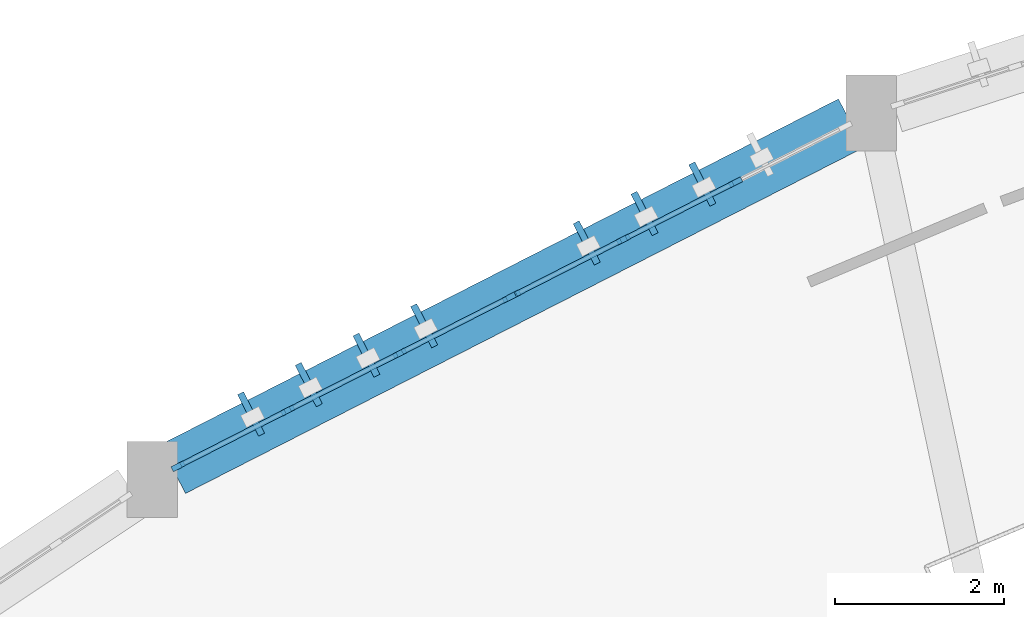
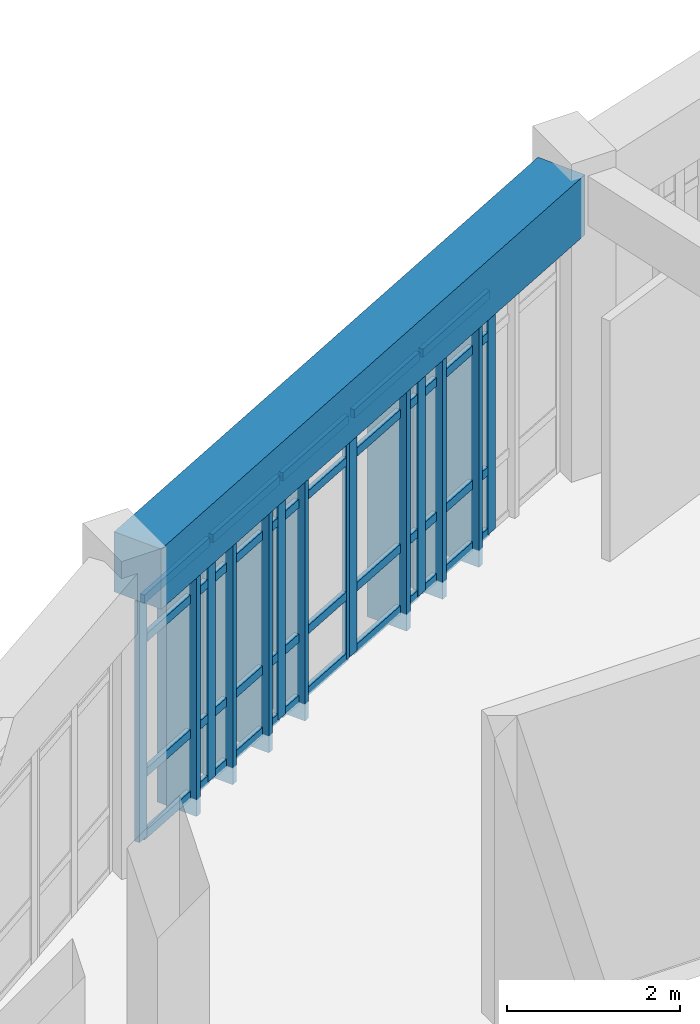
# One storey, part 10 of 54: 34 members, 1 beam, 2 elements without a shape of their own.
"""IFC4 building model written with IfcOpenShell, lengths in metres."""

import ifcopenshell
import ifcopenshell.guid

model = None  # the IFC model being written
_history = None  # IfcOwnerHistory: only IFC2X3 demands one
_inside = {}  # id of a spatial element -> (the spatial element, [elements in it])
_under = {}  # id of a project, library or spatial element -> (it, [spatial elements below it])
_declared = {}  # id of a project -> (the project, [libraries it declares])
_typed = {}  # id of a type object -> (the type object, [elements of that type])
_made_of = {}  # id of a material, layer set ... -> (it, [elements and type objects made of it])


def new_model(schema):
    """Start an empty IFC model of exactly this schema.

    Asked for "IFC4X3", IfcOpenShell would pick the latest addendum, in which some entities
    have other attributes; the version numbers below select the first issue.
    IFC2X3 requires an IfcOwnerHistory on every rooted entity: one is made here for all.
    """
    global model, _history
    if schema == "IFC4X3":
        model = ifcopenshell.file(schema_version=(4, 3, 0, 0))
    else:
        model = ifcopenshell.file(schema=schema)
    _inside.clear()
    _under.clear()
    _declared.clear()
    _typed.clear()
    _made_of.clear()
    _history = None
    if model.schema == "IFC2X3":
        org = make("IfcOrganization", Name="unknown")
        user = make(
            "IfcPersonAndOrganization",
            ThePerson=make("IfcPerson", FamilyName="unknown"),
            TheOrganization=org,
        )
        app = make(
            "IfcApplication",
            ApplicationDeveloper=org,
            Version="unknown",
            ApplicationFullName="unknown",
            ApplicationIdentifier="unknown",
        )
        _history = make(
            "IfcOwnerHistory",
            OwningUser=user,
            OwningApplication=app,
            ChangeAction="ADDED",
            CreationDate=0,
        )
    return model


def make(cls, **values):
    """One entity of the class cls with the attributes given. An attribute that is None is left unset."""
    return model.create_entity(
        cls, **{name: value for name, value in values.items() if value is not None}
    )


def rooted(cls, **values):
    """An entity with a GlobalId (a new one), such as an element, a storey or a relation."""
    return make(cls, GlobalId=ifcopenshell.guid.new(), OwnerHistory=_history, **values)


def si_unit(unit_type, name, prefix=None):
    """IfcSIUnit, for example si_unit("LENGTHUNIT", "METRE", prefix="MILLI")."""
    return make("IfcSIUnit", UnitType=unit_type, Prefix=prefix, Name=name)


def assignment(units):
    """IfcUnitAssignment: the units of a project."""
    return None if units is None else make("IfcUnitAssignment", Units=units)


def point(xyz):
    """IfcCartesianPoint."""
    return None if xyz is None else make("IfcCartesianPoint", Coordinates=xyz)


def direction(xyz):
    """IfcDirection."""
    return None if xyz is None else make("IfcDirection", DirectionRatios=xyz)


def frame(location, z_axis=None, x_axis=None):
    """IfcAxis2Placement3D, a coordinate frame: its origin and axes. An axis left out is left unset."""
    return make(
        "IfcAxis2Placement3D",
        Location=point(location),
        Axis=direction(z_axis),
        RefDirection=direction(x_axis),
    )


def frame_2d(location, x_axis=None):
    """IfcAxis2Placement2D, a coordinate frame in the plane: its origin and x axis."""
    return make(
        "IfcAxis2Placement2D", Location=point(location), RefDirection=direction(x_axis)
    )


def origin():
    """The frame at (0, 0, 0) with its axes left unset."""
    return frame((0.0, 0.0, 0.0))


def origin_2d():
    """The frame at (0, 0) in the plane with its x axis left unset."""
    return frame_2d((0.0, 0.0))


def place(relative_to, where):
    """IfcLocalPlacement: puts the frame where relative to a parent placement (None: the world)."""
    return make(
        "IfcLocalPlacement", PlacementRelTo=relative_to, RelativePlacement=where
    )


def context(
    kind, dimensions, precision=None, world=None, true_north=None, identifier=None
):
    """IfcGeometricRepresentationContext, for example the 3D "Model" context."""
    return make(
        "IfcGeometricRepresentationContext",
        ContextIdentifier=identifier,
        ContextType=kind,
        CoordinateSpaceDimension=dimensions,
        Precision=precision,
        WorldCoordinateSystem=world,
        TrueNorth=true_north,
    )


def subcontext(parent, identifier, kind, view, scale=None):
    """IfcGeometricRepresentationSubContext, for example "Body" below "Model"."""
    return make(
        "IfcGeometricRepresentationSubContext",
        ContextIdentifier=identifier,
        ContextType=kind,
        ParentContext=parent,
        TargetScale=scale,
        TargetView=view,
    )


def project(units=None, contexts=None):
    """IfcProject with its units and contexts."""
    return rooted(
        "IfcProject",
        Name="project",
        RepresentationContexts=contexts,
        UnitsInContext=assignment(units),
    )


def spatial(cls, under=None, at=None, **own):
    """A site, building, storey or space (cls), placed at a placement, below another one or the project."""
    s = rooted(cls, ObjectPlacement=at, **own)
    if under is not None:
        _under.setdefault(under.id(), (under, []))[1].append(s)
    return s


def profile(cls, at=None, kind="AREA", **sizes):
    """A parametric profile (cls). Its sizes go by their IFC names, for example OverallWidth=200.0."""
    return make(cls, ProfileType=kind, Position=at, **sizes)


def rectangle(**sizes):
    """IfcRectangleProfileDef."""
    return profile("IfcRectangleProfileDef", **sizes)


def extrude(swept, where, along, depth):
    """IfcExtrudedAreaSolid: the profile swept, set in the frame where, extruded along a direction by depth."""
    return make(
        "IfcExtrudedAreaSolid",
        SweptArea=swept,
        Position=where,
        ExtrudedDirection=direction(along),
        Depth=depth,
    )


def shape(context_of_items, identifier, shape_type, items):
    """IfcShapeRepresentation: the items that make up one representation, for example the "Body"."""
    return make(
        "IfcShapeRepresentation",
        ContextOfItems=context_of_items,
        RepresentationIdentifier=identifier,
        RepresentationType=shape_type,
        Items=items,
    )


def material(Name=None, Category=None):
    """IfcMaterial."""
    return make("IfcMaterial", Name=Name, Category=Category)


def layer(
    of_material, thickness, ventilated=None, Name=None, Category=None, Priority=None
):
    """IfcMaterialLayer: one layer of a wall or slab, of a material (None: an air gap)."""
    return make(
        "IfcMaterialLayer",
        Material=of_material,
        LayerThickness=thickness,
        IsVentilated=ventilated,
        Name=Name,
        Category=Category,
        Priority=Priority,
    )


def layer_set(layers, Name=None):
    """IfcMaterialLayerSet."""
    return make("IfcMaterialLayerSet", MaterialLayers=layers, LayerSetName=Name)


def material_profile(
    of_material, cross_section, Name=None, Category=None, Priority=None
):
    """IfcMaterialProfile: a cross section and its material."""
    return make(
        "IfcMaterialProfile",
        Name=Name,
        Material=of_material,
        Profile=cross_section,
        Priority=Priority,
        Category=Category,
    )


def profile_set(profiles, Name=None, composite=None):
    """IfcMaterialProfileSet."""
    return make(
        "IfcMaterialProfileSet",
        Name=Name,
        MaterialProfiles=profiles,
        CompositeProfile=composite,
    )


def made_of(thing, what):
    """Note that an element or type object is made of a material, layer set ...; save() writes the relation."""
    if what is not None:
        _made_of.setdefault(what.id(), (what, []))[1].append(thing)
    return thing


def type_object(cls, material=None, **own):
    """A type object (cls), such as IfcWallType, which elements share."""
    return made_of(rooted(cls, **own), material)


def element(
    cls,
    number,
    at=None,
    inside=None,
    cuts=None,
    type_object=None,
    material=None,
    context=None,
    identifier="Body",
    shape_type=None,
    held_by="IfcProductDefinitionShape",
    body=None,
    shapes=None,
    **own,
):
    """One element of the class cls, such as IfcWall. Its Tag is "e" and its number.

    at: its placement. inside: the storey or other place that contains it. cuts: it is an
    opening in that element (IfcRelVoidsElement). A single representation is given by context,
    identifier, shape_type and body (its items); several are given by shapes. held_by: the class
    of the entity that holds the representations. save() writes the other relations.
    """
    e = rooted(cls, Tag="e%d" % number, ObjectPlacement=at, **own)
    if body is not None:
        shapes = [shape(context, identifier, shape_type, body)]
    if shapes is not None:
        e.Representation = make(held_by, Representations=shapes)
    if inside is not None:
        _inside.setdefault(inside.id(), (inside, []))[1].append(e)
    if cuts is not None:
        rooted(
            "IfcRelVoidsElement", RelatingBuildingElement=cuts, RelatedOpeningElement=e
        )
    if type_object is not None:
        _typed.setdefault(type_object.id(), (type_object, []))[1].append(e)
    return made_of(e, material)


def aggregate(whole, parts):
    """IfcRelAggregates: a whole, such as a stair, and the parts it consists of."""
    return rooted("IfcRelAggregates", RelatingObject=whole, RelatedObjects=parts)


def save(model, path):
    """Write the relations noted so far, then the file.

    IfcRelAggregates (storeys below a building ...), IfcRelContainedInSpatialStructure (elements
    in a storey), IfcRelDefinesByType, IfcRelAssociatesMaterial and IfcRelDeclares: one each for
    every whole, place, type object, material and project.
    """
    for whole, parts in _under.values():
        aggregate(whole, parts)
    for where, things in _inside.values():
        rooted(
            "IfcRelContainedInSpatialStructure",
            RelatedElements=things,
            RelatingStructure=where,
        )
    for kind, things in _typed.values():
        rooted("IfcRelDefinesByType", RelatedObjects=things, RelatingType=kind)
    for what, things in _made_of.values():
        rooted("IfcRelAssociatesMaterial", RelatedObjects=things, RelatingMaterial=what)
    for by, libraries in _declared.values():
        rooted("IfcRelDeclares", RelatingContext=by, RelatedDefinitions=libraries)
    model.write(path)


model = new_model("IFC4")

# Units and contexts
model_context = context("Model", 3, precision=1e-05, world=origin(), true_north=direction((0.0, 1.0)))
body_context = subcontext(model_context, "Body", "Model", "MODEL_VIEW")
ifc_project = project(units=[si_unit("LENGTHUNIT", "METRE"), si_unit("AREAUNIT", "SQUARE_METRE"), si_unit("VOLUMEUNIT", "CUBIC_METRE"), si_unit("PLANEANGLEUNIT", "RADIAN"), si_unit("MASSUNIT", "GRAM", prefix="KILO")], contexts=[model_context])

# Site, building, storey
site_placement = place(None, origin())
site = spatial("IfcSite", under=ifc_project, at=site_placement, CompositionType="ELEMENT")
building_placement = place(site_placement, origin())
building = spatial("IfcBuilding", under=site, at=building_placement, Name="Miralva Faculty of Natural Sciences", CompositionType="ELEMENT")
storey_placement = place(building_placement, frame((0.0, 0.0, 19.5)))
storey = spatial("IfcBuildingStorey", under=building, at=storey_placement, Name="L04", CompositionType="ELEMENT", Elevation=19.5)

# Beam
ifc_material_1 = material(Name="Concrete C40/50", Category="concrete")
ifc_material_profile_1 = material_profile(ifc_material_1, rectangle(XDim=0.64990234375, YDim=0.85009765625, at=origin_2d()), Name="RC 650x850")
ifc_profile_set_1 = profile_set([ifc_material_profile_1], Name="Concrete C40/50")
beam_type = type_object("IfcBeamType", Name="BM-SP03", PredefinedType="SPANDREL", material=ifc_profile_set_1)
beam_placement = place(storey_placement, frame((66.4140625, 35.234619140625, 3.8349609375), z_axis=(-0.890849035396, -0.454299456454, 0.0), x_axis=(0.454299456454, -0.890849035396, 0.0)))
element("IfcBeam", 1, at=beam_placement, inside=storey, type_object=beam_type, Name="Curved chord girder SHOUT L04-8", PredefinedType="SPANDREL", context=body_context, shape_type="SweptSolid", body=[
    extrude(rectangle(XDim=0.64990234375, YDim=0.85009765625, at=origin_2d()), origin(), (0.0, 0.0, 1.0), 9.02294921875),
])

# Curtain wall, members
ifc_material_2 = material(Name="Laminated solar-control glass", Category="glass")
ifc_layer = layer(ifc_material_2, 0.179931640625, Name="CW-ARC-L03")
ifc_layer_set = layer_set([ifc_layer], Name="Laminated solar-control glass")
curtain_wall_type = type_object("IfcCurtainWallType", Name="CW-ARC-L03", PredefinedType="USERDEFINED", material=ifc_layer_set)
curtain_wall_1_placement = place(storey_placement, origin())
curtain_wall_1 = element("IfcCurtainWall", 2, at=curtain_wall_1_placement, inside=storey, type_object=curtain_wall_type, Name="Curtain wall CW-03 L04-175", ObjectType="UNITISED CURTAIN WALL", PredefinedType="USERDEFINED")
ifc_material_3 = material(Name="Anodised aluminium", Category="aluminium")
ifc_material_profile_2 = material_profile(ifc_material_3, rectangle(XDim=0.06494140625, YDim=0.159912109375, at=origin_2d()), Name="MULLION 65x160")
ifc_profile_set_2 = profile_set([ifc_material_profile_2], Name="Anodised aluminium")
member_type_1 = type_object("IfcMemberType", Name="CW-M02", PredefinedType="MULLION", material=ifc_profile_set_2)
member_1_placement = place(storey_placement, frame((58.437255859375, 31.1689453125, 0.0), z_axis=(0.0, 0.0, 1.0), x_axis=(-0.454000162854, 0.89100160052, 0.0)))
member_1 = element("IfcMember", 3, at=member_1_placement, type_object=member_type_1, Name="CW-03 mullion 1", PredefinedType="MULLION", context=body_context, shape_type="SweptSolid", body=[
    extrude(rectangle(XDim=0.06494140625, YDim=0.159912109375, at=origin_2d()), origin(), (0.0, 0.0, 1.0), 3.405029296875),
])
member_2_placement = place(storey_placement, frame((59.736083984375, 31.830810546875, 0.0), z_axis=(0.0, 0.0, 1.0), x_axis=(-0.454000162854, 0.89100160052, 0.0)))
member_2 = element("IfcMember", 4, at=member_2_placement, type_object=member_type_1, Name="CW-03 mullion 2", PredefinedType="MULLION", context=body_context, shape_type="SweptSolid", body=[
    extrude(rectangle(XDim=0.06494140625, YDim=0.159912109375, at=origin_2d()), origin(), (0.0, 0.0, 1.0), 3.405029296875),
])
member_3_placement = place(storey_placement, frame((61.06396484375, 32.50732421875, 0.0), z_axis=(0.0, 0.0, 1.0), x_axis=(-0.454000162854, 0.89100160052, 0.0)))
member_3 = element("IfcMember", 5, at=member_3_placement, type_object=member_type_1, Name="CW-03 mullion 3", PredefinedType="MULLION", context=body_context, shape_type="SweptSolid", body=[
    extrude(rectangle(XDim=0.06494140625, YDim=0.159912109375, at=origin_2d()), origin(), (0.0, 0.0, 1.0), 3.405029296875),
])
member_4_placement = place(storey_placement, frame((62.363037109375, 33.169189453125, 0.0), z_axis=(0.0, 0.0, 1.0), x_axis=(-0.454000162854, 0.89100160052, 0.0)))
member_4 = element("IfcMember", 6, at=member_4_placement, type_object=member_type_1, Name="CW-03 mullion 4", PredefinedType="MULLION", context=body_context, shape_type="SweptSolid", body=[
    extrude(rectangle(XDim=0.06494140625, YDim=0.159912109375, at=origin_2d()), origin(), (0.0, 0.0, 1.0), 3.405029296875),
])

curtain_wall_2_placement = place(storey_placement, origin())
curtain_wall_2 = element("IfcCurtainWall", 7, at=curtain_wall_2_placement, inside=storey, type_object=curtain_wall_type, Name="Curtain wall CW-03 L04-176", ObjectType="UNITISED CURTAIN WALL", PredefinedType="USERDEFINED")
member_5_placement = place(storey_placement, frame((62.416259765625, 33.1962890625, 0.0), z_axis=(0.0, 0.0, 1.0), x_axis=(-0.453974643591, 0.891014603122, 0.0)))
member_5 = element("IfcMember", 8, at=member_5_placement, type_object=member_type_1, Name="CW-03 mullion 1", PredefinedType="MULLION", context=body_context, shape_type="SweptSolid", body=[
    extrude(rectangle(XDim=0.06494140625, YDim=0.159912109375, at=origin_2d()), origin(), (0.0, 0.0, 1.0), 3.405029296875),
])
member_6_placement = place(storey_placement, frame((63.716796875, 33.85888671875, 0.0), z_axis=(0.0, 0.0, 1.0), x_axis=(-0.453974643591, 0.891014603122, 0.0)))
member_6 = element("IfcMember", 9, at=member_6_placement, type_object=member_type_1, Name="CW-03 mullion 2", PredefinedType="MULLION", context=body_context, shape_type="SweptSolid", body=[
    extrude(rectangle(XDim=0.06494140625, YDim=0.159912109375, at=origin_2d()), origin(), (0.0, 0.0, 1.0), 3.405029296875),
])
member_7_placement = place(storey_placement, frame((65.046142578125, 34.536376953125, 0.0), z_axis=(0.0, 0.0, 1.0), x_axis=(-0.453974643591, 0.891014603122, 0.0)))
member_7 = element("IfcMember", 10, at=member_7_placement, type_object=member_type_1, Name="CW-03 mullion 3", PredefinedType="MULLION", context=body_context, shape_type="SweptSolid", body=[
    extrude(rectangle(XDim=0.06494140625, YDim=0.159912109375, at=origin_2d()), origin(), (0.0, 0.0, 1.0), 3.405029296875),
])

# Member
ifc_material_profile_3 = material_profile(ifc_material_3, rectangle(XDim=0.06005859375, YDim=0.1201171875, at=origin_2d()), Name="TRANSOM 60x120")
ifc_profile_set_3 = profile_set([ifc_material_profile_3], Name="Anodised aluminium")
member_type_2 = type_object("IfcMemberType", Name="CW-T02", PredefinedType="USERDEFINED", material=ifc_profile_set_3)
member_8_placement = place(storey_placement, frame((58.46630859375, 31.18359375, 0.030029296875), z_axis=(0.891000699846, 0.454001930474, 0.0), x_axis=(-0.454001930474, 0.891000699846, 0.0)))
member_8 = element("IfcMember", 11, at=member_8_placement, type_object=member_type_2, Name="CW-03 transom 1.1", ObjectType="TRANSOM", PredefinedType="USERDEFINED", context=body_context, shape_type="SweptSolid", body=[
    extrude(rectangle(XDim=0.06005859375, YDim=0.1201171875, at=origin_2d()), origin(), (0.0, 0.0, 1.0), 1.392822265625),
])

member_9_placement = place(storey_placement, frame((58.46630859375, 31.18359375, 0.89990234375), z_axis=(0.891000699846, 0.454001930474, 0.0), x_axis=(-0.454001930474, 0.891000699846, 0.0)))
member_9 = element("IfcMember", 12, at=member_9_placement, type_object=member_type_2, Name="CW-03 transom 1.2", ObjectType="TRANSOM", PredefinedType="USERDEFINED", context=body_context, shape_type="SweptSolid", body=[
    extrude(rectangle(XDim=0.06005859375, YDim=0.1201171875, at=origin_2d()), origin(), (0.0, 0.0, 1.0), 1.392822265625),
])

member_10_placement = place(storey_placement, frame((58.46630859375, 31.18359375, 2.804931640625), z_axis=(0.891000699846, 0.454001930474, 0.0), x_axis=(-0.454001930474, 0.891000699846, 0.0)))
member_10 = element("IfcMember", 13, at=member_10_placement, type_object=member_type_2, Name="CW-03 transom 1.3", ObjectType="TRANSOM", PredefinedType="USERDEFINED", context=body_context, shape_type="SweptSolid", body=[
    extrude(rectangle(XDim=0.06005859375, YDim=0.1201171875, at=origin_2d()), origin(), (0.0, 0.0, 1.0), 1.392822265625),
])

member_11_placement = place(storey_placement, frame((58.46630859375, 31.18359375, 3.375), z_axis=(0.891000699846, 0.454001930474, 0.0), x_axis=(-0.454001930474, 0.891000699846, 0.0)))
member_11 = element("IfcMember", 14, at=member_11_placement, type_object=member_type_2, Name="CW-03 transom 1.4", ObjectType="TRANSOM", PredefinedType="USERDEFINED", context=body_context, shape_type="SweptSolid", body=[
    extrude(rectangle(XDim=0.06005859375, YDim=0.1201171875, at=origin_2d()), origin(), (0.0, 0.0, 1.0), 1.392822265625),
])

member_12_placement = place(storey_placement, frame((59.76513671875, 31.845458984375, 0.030029296875), z_axis=(0.891044725517, 0.453915517612, 0.0), x_axis=(-0.453915517612, 0.891044725517, 0.0)))
member_12 = element("IfcMember", 15, at=member_12_placement, type_object=member_type_2, Name="CW-03 transom 2.1", ObjectType="TRANSOM", PredefinedType="USERDEFINED", context=body_context, shape_type="SweptSolid", body=[
    extrude(rectangle(XDim=0.06005859375, YDim=0.1201171875, at=origin_2d()), origin(), (0.0, 0.0, 1.0), 1.42529296875),
])

member_13_placement = place(storey_placement, frame((59.76513671875, 31.845458984375, 0.89990234375), z_axis=(0.891044725517, 0.453915517612, 0.0), x_axis=(-0.453915517612, 0.891044725517, 0.0)))
member_13 = element("IfcMember", 16, at=member_13_placement, type_object=member_type_2, Name="CW-03 transom 2.2", ObjectType="TRANSOM", PredefinedType="USERDEFINED", context=body_context, shape_type="SweptSolid", body=[
    extrude(rectangle(XDim=0.06005859375, YDim=0.1201171875, at=origin_2d()), origin(), (0.0, 0.0, 1.0), 1.42529296875),
])

member_14_placement = place(storey_placement, frame((59.76513671875, 31.845458984375, 2.804931640625), z_axis=(0.891044725517, 0.453915517612, 0.0), x_axis=(-0.453915517612, 0.891044725517, 0.0)))
member_14 = element("IfcMember", 17, at=member_14_placement, type_object=member_type_2, Name="CW-03 transom 2.3", ObjectType="TRANSOM", PredefinedType="USERDEFINED", context=body_context, shape_type="SweptSolid", body=[
    extrude(rectangle(XDim=0.06005859375, YDim=0.1201171875, at=origin_2d()), origin(), (0.0, 0.0, 1.0), 1.42529296875),
])

member_15_placement = place(storey_placement, frame((59.76513671875, 31.845458984375, 3.375), z_axis=(0.891044725517, 0.453915517612, 0.0), x_axis=(-0.453915517612, 0.891044725517, 0.0)))
member_15 = element("IfcMember", 18, at=member_15_placement, type_object=member_type_2, Name="CW-03 transom 2.4", ObjectType="TRANSOM", PredefinedType="USERDEFINED", context=body_context, shape_type="SweptSolid", body=[
    extrude(rectangle(XDim=0.06005859375, YDim=0.1201171875, at=origin_2d()), origin(), (0.0, 0.0, 1.0), 1.42529296875),
])

member_16_placement = place(storey_placement, frame((61.093017578125, 32.52197265625, 0.030029296875), z_axis=(0.891000699846, 0.454001930474, 0.0), x_axis=(-0.454001930474, 0.891000699846, 0.0)))
member_16 = element("IfcMember", 19, at=member_16_placement, type_object=member_type_2, Name="CW-03 transom 3.1", ObjectType="TRANSOM", PredefinedType="USERDEFINED", context=body_context, shape_type="SweptSolid", body=[
    extrude(rectangle(XDim=0.06005859375, YDim=0.1201171875, at=origin_2d()), origin(), (0.0, 0.0, 1.0), 1.392822265625),
])

member_17_placement = place(storey_placement, frame((61.093017578125, 32.52197265625, 0.89990234375), z_axis=(0.891000699846, 0.454001930474, 0.0), x_axis=(-0.454001930474, 0.891000699846, 0.0)))
member_17 = element("IfcMember", 20, at=member_17_placement, type_object=member_type_2, Name="CW-03 transom 3.2", ObjectType="TRANSOM", PredefinedType="USERDEFINED", context=body_context, shape_type="SweptSolid", body=[
    extrude(rectangle(XDim=0.06005859375, YDim=0.1201171875, at=origin_2d()), origin(), (0.0, 0.0, 1.0), 1.392822265625),
])

member_18_placement = place(storey_placement, frame((61.093017578125, 32.52197265625, 2.804931640625), z_axis=(0.891000699846, 0.454001930474, 0.0), x_axis=(-0.454001930474, 0.891000699846, 0.0)))
member_18 = element("IfcMember", 21, at=member_18_placement, type_object=member_type_2, Name="CW-03 transom 3.3", ObjectType="TRANSOM", PredefinedType="USERDEFINED", context=body_context, shape_type="SweptSolid", body=[
    extrude(rectangle(XDim=0.06005859375, YDim=0.1201171875, at=origin_2d()), origin(), (0.0, 0.0, 1.0), 1.392822265625),
])

member_19_placement = place(storey_placement, frame((61.093017578125, 32.52197265625, 3.375), z_axis=(0.891000699846, 0.454001930474, 0.0), x_axis=(-0.454001930474, 0.891000699846, 0.0)))
member_19 = element("IfcMember", 22, at=member_19_placement, type_object=member_type_2, Name="CW-03 transom 3.4", ObjectType="TRANSOM", PredefinedType="USERDEFINED", context=body_context, shape_type="SweptSolid", body=[
    extrude(rectangle(XDim=0.06005859375, YDim=0.1201171875, at=origin_2d()), origin(), (0.0, 0.0, 1.0), 1.392822265625),
])

aggregate(curtain_wall_1, [member_1, member_2, member_3, member_4, member_8, member_9, member_10, member_11, member_12, member_13, member_14, member_15, member_16, member_17, member_18, member_19])

member_20_placement = place(storey_placement, frame((62.4453125, 33.211181640625, 0.030029296875), z_axis=(0.891004754487, 0.453993972958, 0.0), x_axis=(-0.453993972958, 0.891004754487, 0.0)))
member_20 = element("IfcMember", 23, at=member_20_placement, type_object=member_type_2, Name="CW-03 transom 1.1", ObjectType="TRANSOM", PredefinedType="USERDEFINED", context=body_context, shape_type="SweptSolid", body=[
    extrude(rectangle(XDim=0.06005859375, YDim=0.1201171875, at=origin_2d()), origin(), (0.0, 0.0, 1.0), 1.39453125),
])

member_21_placement = place(storey_placement, frame((62.4453125, 33.211181640625, 0.89990234375), z_axis=(0.891004754487, 0.453993972958, 0.0), x_axis=(-0.453993972958, 0.891004754487, 0.0)))
member_21 = element("IfcMember", 24, at=member_21_placement, type_object=member_type_2, Name="CW-03 transom 1.2", ObjectType="TRANSOM", PredefinedType="USERDEFINED", context=body_context, shape_type="SweptSolid", body=[
    extrude(rectangle(XDim=0.06005859375, YDim=0.1201171875, at=origin_2d()), origin(), (0.0, 0.0, 1.0), 1.39453125),
])

member_22_placement = place(storey_placement, frame((62.4453125, 33.211181640625, 2.804931640625), z_axis=(0.891004754487, 0.453993972958, 0.0), x_axis=(-0.453993972958, 0.891004754487, 0.0)))
member_22 = element("IfcMember", 25, at=member_22_placement, type_object=member_type_2, Name="CW-03 transom 1.3", ObjectType="TRANSOM", PredefinedType="USERDEFINED", context=body_context, shape_type="SweptSolid", body=[
    extrude(rectangle(XDim=0.06005859375, YDim=0.1201171875, at=origin_2d()), origin(), (0.0, 0.0, 1.0), 1.39453125),
])

member_23_placement = place(storey_placement, frame((62.4453125, 33.211181640625, 3.375), z_axis=(0.891004754487, 0.453993972958, 0.0), x_axis=(-0.453993972958, 0.891004754487, 0.0)))
member_23 = element("IfcMember", 26, at=member_23_placement, type_object=member_type_2, Name="CW-03 transom 1.4", ObjectType="TRANSOM", PredefinedType="USERDEFINED", context=body_context, shape_type="SweptSolid", body=[
    extrude(rectangle(XDim=0.06005859375, YDim=0.1201171875, at=origin_2d()), origin(), (0.0, 0.0, 1.0), 1.39453125),
])

member_24_placement = place(storey_placement, frame((63.745849609375, 33.873779296875, 0.030029296875), z_axis=(0.891048636431, 0.453907840332, 0.0), x_axis=(-0.453907840332, 0.891048636431, 0.0)))
member_24 = element("IfcMember", 27, at=member_24_placement, type_object=member_type_2, Name="CW-03 transom 2.1", ObjectType="TRANSOM", PredefinedType="USERDEFINED", context=body_context, shape_type="SweptSolid", body=[
    extrude(rectangle(XDim=0.06005859375, YDim=0.1201171875, at=origin_2d()), origin(), (0.0, 0.0, 1.0), 1.427001953125),
])

member_25_placement = place(storey_placement, frame((63.745849609375, 33.873779296875, 0.89990234375), z_axis=(0.891048636431, 0.453907840332, 0.0), x_axis=(-0.453907840332, 0.891048636431, 0.0)))
member_25 = element("IfcMember", 28, at=member_25_placement, type_object=member_type_2, Name="CW-03 transom 2.2", ObjectType="TRANSOM", PredefinedType="USERDEFINED", context=body_context, shape_type="SweptSolid", body=[
    extrude(rectangle(XDim=0.06005859375, YDim=0.1201171875, at=origin_2d()), origin(), (0.0, 0.0, 1.0), 1.427001953125),
])

member_26_placement = place(storey_placement, frame((63.745849609375, 33.873779296875, 2.804931640625), z_axis=(0.891048636431, 0.453907840332, 0.0), x_axis=(-0.453907840332, 0.891048636431, 0.0)))
member_26 = element("IfcMember", 29, at=member_26_placement, type_object=member_type_2, Name="CW-03 transom 2.3", ObjectType="TRANSOM", PredefinedType="USERDEFINED", context=body_context, shape_type="SweptSolid", body=[
    extrude(rectangle(XDim=0.06005859375, YDim=0.1201171875, at=origin_2d()), origin(), (0.0, 0.0, 1.0), 1.427001953125),
])

member_27_placement = place(storey_placement, frame((63.745849609375, 33.873779296875, 3.375), z_axis=(0.891048636431, 0.453907840332, 0.0), x_axis=(-0.453907840332, 0.891048636431, 0.0)))
member_27 = element("IfcMember", 30, at=member_27_placement, type_object=member_type_2, Name="CW-03 transom 2.4", ObjectType="TRANSOM", PredefinedType="USERDEFINED", context=body_context, shape_type="SweptSolid", body=[
    extrude(rectangle(XDim=0.06005859375, YDim=0.1201171875, at=origin_2d()), origin(), (0.0, 0.0, 1.0), 1.427001953125),
])

aggregate(curtain_wall_2, [member_5, member_6, member_7, member_20, member_21, member_22, member_23, member_24, member_25, member_26, member_27])

# Members
ifc_material_profile_4 = material_profile(ifc_material_3, rectangle(XDim=0.080078125, YDim=0.550048828125, at=origin_2d()), Name="FIN 550x80")
ifc_profile_set_4 = profile_set([ifc_material_profile_4], Name="Anodised aluminium")
member_type_3 = type_object("IfcMemberType", Name="MEM-SF01", PredefinedType="USERDEFINED", material=ifc_profile_set_4)
for number, where, z_axis, x_axis, name in (
    (31, (59.301513671875, 31.788818359375, -0.239990234375), (0.0, 0.0, 1.0), (-0.891006524188, -0.45399049974, 0.0), "Solar shading fin SF-01 L04-133"),
    (32, (59.9853515625, 32.13720703125, -0.239990234375), (0.0, 0.0, 1.0), (-0.891006524188, -0.45399049974, 0.0), "Solar shading fin SF-01 L04-134"),
    (33, (60.66943359375, 32.48583984375, -0.239990234375), (0.0, 0.0, 1.0), (-0.891006524188, -0.45399049974, 0.0), "Solar shading fin SF-01 L04-135"),
    (34, (61.353515625, 32.83447265625, -0.239990234375), (0.0, 0.0, 1.0), (-0.891006524188, -0.45399049974, 0.0), "Solar shading fin SF-01 L04-136"),
    (35, (63.281005859375, 33.81640625, -0.239990234375), (0.0, 0.0, 1.0), (-0.891006524188, -0.45399049974, 0.0), "Solar shading fin SF-01 L04-137"),
    (36, (63.96630859375, 34.16552734375, -0.239990234375), (0.0, 0.0, 1.0), (-0.891006524188, -0.45399049974, 0.0), "Solar shading fin SF-01 L04-138"),
    (37, (64.651611328125, 34.5146484375, -0.239990234375), (0.0, 0.0, 1.0), (-0.891006524188, -0.45399049974, 0.0), "Solar shading fin SF-01 L04-139"),
):
    element("IfcMember", number, at=place(storey_placement, frame(where, z_axis=z_axis, x_axis=x_axis)), inside=storey, type_object=member_type_3, Name=name, ObjectType="SUNSHADE", PredefinedType="USERDEFINED", context=body_context, shape_type="SweptSolid", body=[
        extrude(rectangle(XDim=0.080078125, YDim=0.550048828125, at=origin_2d()), origin(), (0.0, 0.0, 1.0), 3.64501953125),
    ])

save(model, "model.ifc")
